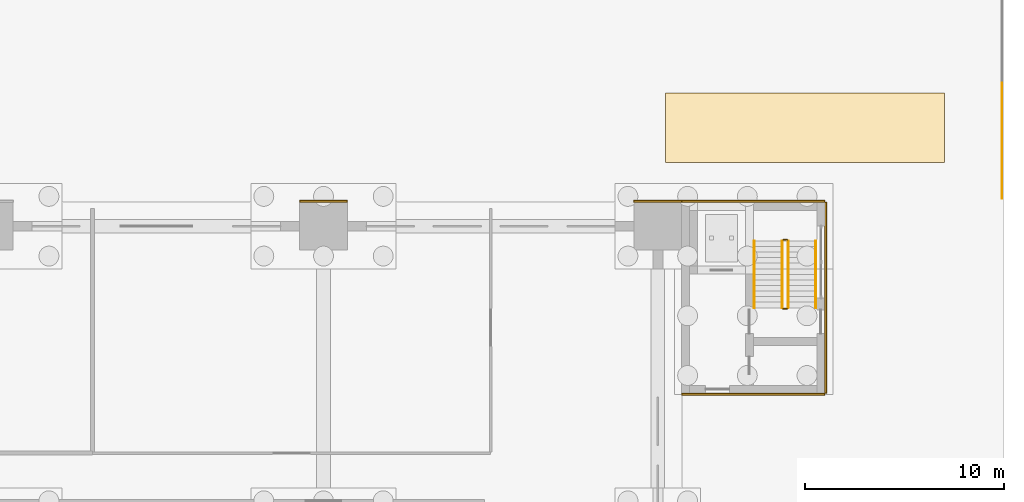
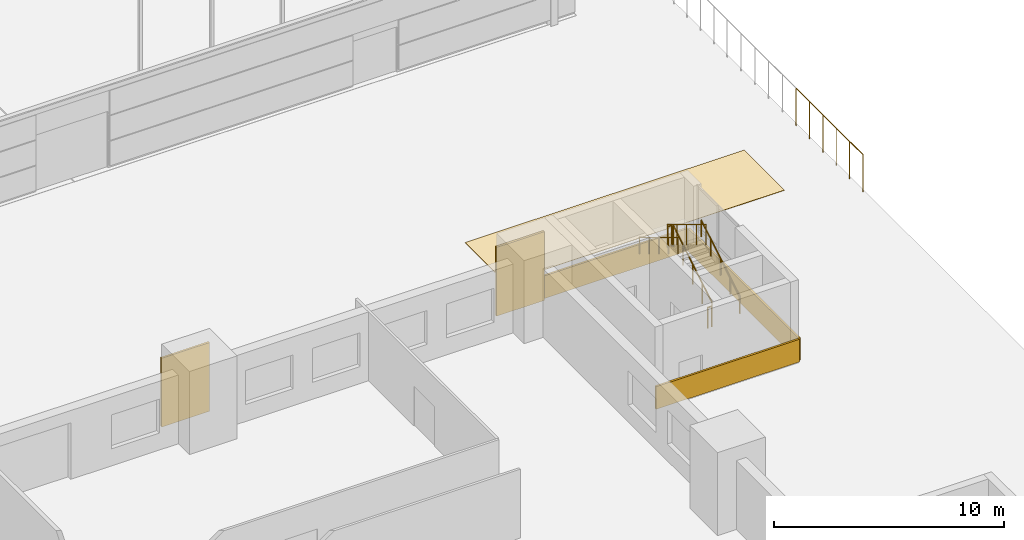
# One storey, part 133 of 139: 7 railings, 6 coverings.
"""IFC4 building model written with IfcOpenShell, lengths in metres."""

from ifc_helpers import new_model, si_unit, direction, frame, origin, origin_2d, place, context, subcontext, project, spatial, polyline, rectangle, circle, outline, extrude, material, layer, layer_set, type_object, element, save


model = new_model("IFC4")

# Units and contexts
model_context = context("Model", 3, precision=1e-05, world=origin(), true_north=direction((0.0, 1.0)))
body_context = subcontext(model_context, "Body", "Model", "MODEL_VIEW")
ifc_project = project(units=[si_unit("LENGTHUNIT", "METRE"), si_unit("AREAUNIT", "SQUARE_METRE"), si_unit("VOLUMEUNIT", "CUBIC_METRE"), si_unit("PLANEANGLEUNIT", "RADIAN"), si_unit("MASSUNIT", "GRAM", prefix="KILO")], contexts=[model_context])

# Site, building, storey
site_placement = place(None, origin())
site = spatial("IfcSite", under=ifc_project, at=site_placement, CompositionType="ELEMENT")
building_placement = place(site_placement, origin())
building = spatial("IfcBuilding", under=site, at=building_placement, Name="Verrick Yard Athletic Hall", CompositionType="ELEMENT")
storey_placement = place(building_placement, origin())
storey = spatial("IfcBuildingStorey", under=building, at=storey_placement, Name="L00", CompositionType="ELEMENT", Elevation=0.0)

# Coverings
ifc_material_1 = material(Name="Rusticated limestone cladding", Category="masonry")
ifc_layer_1 = layer(ifc_material_1, 0.10009765625)
ifc_layer_set_1 = layer_set([ifc_layer_1], Name="Pier base cladding")
covering_type_1 = type_object("IfcCoveringType", Name="Pier base cladding", PredefinedType="CLADDING", material=ifc_layer_set_1)
for number, where, z_axis, x_axis, name in (
    (1, (140.800048828125, 54.050048828125, 0.0), (0.0, 0.0, 1.0), (1.0, 0.0, 0.0), "Pier base N7"),
    (2, (157.60009765625, 54.050048828125, 0.0), (0.0, 0.0, 1.0), (1.0, 0.0, 0.0), "Pier base N8"),
):
    element("IfcCovering", number, at=place(storey_placement, frame(where, z_axis=z_axis, x_axis=x_axis)), inside=storey, type_object=covering_type_1, Name=name, PredefinedType="CLADDING", context=body_context, shape_type="SweptSolid", body=[
        extrude(rectangle(XDim=2.39990234375, YDim=0.10009765625, at=origin_2d()), origin(), (0.0, 0.0, 1.0), 3.64990234375),
    ])

# Railing
ifc_material_2 = material(Name="Galvanised steel", Category="steel")
railing_type_1 = type_object("IfcRailingType", Name="Site fence", PredefinedType="USERDEFINED", material=ifc_material_2)
railing_1_placement = place(storey_placement, frame((174.89990234375, 54.199951171875, 0.0)))
element("IfcRailing", 3, at=railing_1_placement, inside=storey, type_object=railing_type_1, Name="Yard fence east S", ObjectType="FENCE", PredefinedType="USERDEFINED", context=body_context, shape_type="SweptSolid", body=[
    extrude(circle(Radius=0.02392578125, at=origin_2d()), frame((0.0, 0.0, 1.97607421875), z_axis=(0.0, 1.0, 0.0), x_axis=(-1.0, 0.0, 0.0)), (0.0, 0.0, 1.0), 5.800048828125),
    extrude(circle(Radius=0.02099609375, at=origin_2d()), origin(), (0.0, 0.0, 1.0), 1.951904296875),
    extrude(circle(Radius=0.02099609375, at=origin_2d()), frame((0.0, 1.159912109375, 0.0)), (0.0, 0.0, 1.0), 1.951904296875),
    extrude(circle(Radius=0.02099609375, at=origin_2d()), frame((0.0, 2.320068359375, 0.0)), (0.0, 0.0, 1.0), 1.951904296875),
    extrude(circle(Radius=0.02099609375, at=origin_2d()), frame((0.0, 3.47998046875, 0.0)), (0.0, 0.0, 1.0), 1.951904296875),
    extrude(circle(Radius=0.02099609375, at=origin_2d()), frame((0.0, 4.64013671875, 0.0)), (0.0, 0.0, 1.0), 1.951904296875),
    extrude(circle(Radius=0.02099609375, at=origin_2d()), frame((0.0, 5.800048828125, 0.0)), (0.0, 0.0, 1.0), 1.951904296875),
])

# Covering
ifc_material_3 = material(Name="Concrete paving 35 MPa", Category="concrete")
ifc_layer_2 = layer(ifc_material_3, 0.10009765625)
ifc_layer_set_2 = layer_set([ifc_layer_2], Name="Site paving")
covering_type_2 = type_object("IfcCoveringType", Name="Site paving", PredefinedType="USERDEFINED", material=ifc_layer_set_2)
covering_1_placement = place(storey_placement, origin())
element("IfcCovering", 4, at=covering_1_placement, inside=storey, type_object=covering_type_2, Name="Loading bay", ObjectType="PAVING", PredefinedType="USERDEFINED", context=body_context, shape_type="SweptSolid", body=[
    extrude(outline(polyline([(172.0, 56.0), (172.0, 59.5), (158.0, 59.5), (158.0, 56.0), (172.0, 56.0)])), origin(), (0.0, 0.0, 1.0), 0.02001953125),
])

# Railings
ifc_material_4 = material(Name="Stainless steel", Category="steel")
railing_type_2 = type_object("IfcRailingType", Name="Stair and core guard 1100", PredefinedType="GUARDRAIL", material=ifc_material_4)
railing_2_placement = place(storey_placement, frame((164.14990234375, 48.699951171875, 0.169189453125)))
element("IfcRailing", 5, at=railing_2_placement, inside=storey, type_object=railing_type_2, Name="L00 Plinth north-east stair guard 1", PredefinedType="GUARDRAIL", context=body_context, shape_type="SweptSolid", body=[
    extrude(circle(Radius=0.02392578125, at=origin_2d()), frame((0.0, 0.0, 1.076171875), z_axis=(0.0, 0.855836976705, 0.517245656632), x_axis=(-1.0, 0.0, 0.0)), (0.0, 0.0, 1.0), 3.926025390625),
    extrude(circle(Radius=0.02099609375, at=origin_2d()), origin(), (0.0, 0.0, 1.0), 1.052001953125),
    extrude(circle(Radius=0.02099609375, at=origin_2d()), frame((0.0, 0.840087890625, 0.5078125)), (0.0, 0.0, 1.0), 1.052001953125),
    extrude(circle(Radius=0.02099609375, at=origin_2d()), frame((0.0, 1.68017578125, 1.015380859375)), (0.0, 0.0, 1.0), 1.052001953125),
    extrude(circle(Radius=0.02099609375, at=origin_2d()), frame((0.0, 2.52001953125, 1.52294921875)), (0.0, 0.0, 1.0), 1.052001953125),
    extrude(circle(Radius=0.02099609375, at=origin_2d()), frame((0.0, 3.360107421875, 2.03076171875)), (0.0, 0.0, 1.0), 1.052001953125),
])
railing_3_placement = place(storey_placement, frame((164.10009765625, 52.110107421875, 2.199951171875)))
element("IfcRailing", 6, at=railing_3_placement, inside=storey, type_object=railing_type_2, Name="L00 Plinth north-east stair guard 2", PredefinedType="GUARDRAIL", context=body_context, shape_type="SweptSolid", body=[
    extrude(circle(Radius=0.02392578125, at=origin_2d()), frame((0.0, 0.0, 1.076171875), z_axis=(-1.0, 0.0, 0.0), x_axis=(0.0, -1.0, 0.0)), (0.0, 0.0, 1.0), 0.2001953125),
    extrude(circle(Radius=0.02099609375, at=origin_2d()), origin(), (0.0, 0.0, 1.0), 1.052001953125),
    extrude(circle(Radius=0.02099609375, at=origin_2d()), frame((-0.2001953125, 0.0, 0.0)), (0.0, 0.0, 1.0), 1.052001953125),
])
railing_4_placement = place(storey_placement, frame((163.85009765625, 52.06005859375, 2.369140625)))
element("IfcRailing", 7, at=railing_4_placement, inside=storey, type_object=railing_type_2, Name="L00 Plinth north-east stair guard 3", PredefinedType="GUARDRAIL", context=body_context, shape_type="SweptSolid", body=[
    extrude(circle(Radius=0.02392578125, at=origin_2d()), frame((0.0, 0.0, 1.076171875), z_axis=(0.0, -0.855836976705, 0.517245656632), x_axis=(1.0, 0.0, 0.0)), (0.0, 0.0, 1.0), 3.926025390625),
    extrude(circle(Radius=0.02099609375, at=origin_2d()), origin(), (0.0, 0.0, 1.0), 1.052001953125),
    extrude(circle(Radius=0.02099609375, at=origin_2d()), frame((0.0, -0.840087890625, 0.5078125)), (0.0, 0.0, 1.0), 1.052001953125),
    extrude(circle(Radius=0.02099609375, at=origin_2d()), frame((0.0, -1.68017578125, 1.015380859375)), (0.0, 0.0, 1.0), 1.052001953125),
    extrude(circle(Radius=0.02099609375, at=origin_2d()), frame((0.0, -2.52001953125, 1.52294921875)), (0.0, 0.0, 1.0), 1.052001953125),
    extrude(circle(Radius=0.02099609375, at=origin_2d()), frame((0.0, -3.360107421875, 2.03076171875)), (0.0, 0.0, 1.0), 1.052001953125),
])
railing_5_placement = place(storey_placement, frame((164.10009765625, 48.64990234375, 0.0)))
element("IfcRailing", 8, at=railing_5_placement, inside=storey, type_object=railing_type_2, Name="L00 Plinth north-east stair guard 4", PredefinedType="GUARDRAIL", context=body_context, shape_type="SweptSolid", body=[
    extrude(circle(Radius=0.02392578125, at=origin_2d()), frame((0.0, 0.0, 1.076171875), z_axis=(-1.0, 0.0, 0.0), x_axis=(0.0, -1.0, 0.0)), (0.0, 0.0, 1.0), 0.2001953125),
    extrude(circle(Radius=0.02099609375, at=origin_2d()), origin(), (0.0, 0.0, 1.0), 1.052001953125),
    extrude(circle(Radius=0.02099609375, at=origin_2d()), frame((-0.2001953125, 0.0, 0.0)), (0.0, 0.0, 1.0), 1.052001953125),
])
railing_type_3 = type_object("IfcRailingType", Name="Stair handrail 900", PredefinedType="HANDRAIL", material=ifc_material_4)
railing_6_placement = place(storey_placement, frame((165.550048828125, 48.699951171875, 0.169189453125)))
element("IfcRailing", 9, at=railing_6_placement, inside=storey, type_object=railing_type_3, Name="L00 Plinth north-east stair handrail 1", PredefinedType="HANDRAIL", context=body_context, shape_type="SweptSolid", body=[
    extrude(circle(Radius=0.02392578125, at=origin_2d()), frame((0.0, 0.0, 0.8759765625), z_axis=(0.0, 0.855836976705, 0.517245656632), x_axis=(-1.0, 0.0, 0.0)), (0.0, 0.0, 1.0), 3.926025390625),
    extrude(circle(Radius=0.02099609375, at=origin_2d()), origin(), (0.0, 0.0, 1.0), 0.851806640625),
    extrude(circle(Radius=0.02099609375, at=origin_2d()), frame((0.0, 0.840087890625, 0.5078125)), (0.0, 0.0, 1.0), 0.851806640625),
    extrude(circle(Radius=0.02099609375, at=origin_2d()), frame((0.0, 1.68017578125, 1.015380859375)), (0.0, 0.0, 1.0), 0.851806640625),
    extrude(circle(Radius=0.02099609375, at=origin_2d()), frame((0.0, 2.52001953125, 1.52294921875)), (0.0, 0.0, 1.0), 0.851806640625),
    extrude(circle(Radius=0.02099609375, at=origin_2d()), frame((0.0, 3.360107421875, 2.03076171875)), (0.0, 0.0, 1.0), 0.851806640625),
])
railing_7_placement = place(storey_placement, frame((162.449951171875, 52.06005859375, 2.369140625)))
element("IfcRailing", 10, at=railing_7_placement, inside=storey, type_object=railing_type_3, Name="L00 Plinth north-east stair handrail 2", PredefinedType="HANDRAIL", context=body_context, shape_type="SweptSolid", body=[
    extrude(circle(Radius=0.02392578125, at=origin_2d()), frame((0.0, 0.0, 0.8759765625), z_axis=(0.0, -0.855836976705, 0.517245656632), x_axis=(1.0, 0.0, 0.0)), (0.0, 0.0, 1.0), 3.926025390625),
    extrude(circle(Radius=0.02099609375, at=origin_2d()), origin(), (0.0, 0.0, 1.0), 0.851806640625),
    extrude(circle(Radius=0.02099609375, at=origin_2d()), frame((0.0, -0.840087890625, 0.5078125)), (0.0, 0.0, 1.0), 0.851806640625),
    extrude(circle(Radius=0.02099609375, at=origin_2d()), frame((0.0, -1.68017578125, 1.015380859375)), (0.0, 0.0, 1.0), 0.851806640625),
    extrude(circle(Radius=0.02099609375, at=origin_2d()), frame((0.0, -2.52001953125, 1.52294921875)), (0.0, 0.0, 1.0), 0.851806640625),
    extrude(circle(Radius=0.02099609375, at=origin_2d()), frame((0.0, -3.360107421875, 2.03076171875)), (0.0, 0.0, 1.0), 0.851806640625),
])

# Coverings
ifc_material_5 = material(Name="Tyndall-stone-look precast cladding", Category="masonry")
ifc_layer_3 = layer(ifc_material_5, 0.125)
ifc_layer_set_3 = layer_set([ifc_layer_3], Name="Stone cladding")
covering_type_3 = type_object("IfcCoveringType", Name="Stone cladding", PredefinedType="CLADDING", material=ifc_layer_set_3)
for number, where, z_axis, x_axis, name in (
    (11, (162.39990234375, 44.35009765625, 0.10009765625), (0.0, 0.0, 1.0), (1.0, 0.0, 0.0), "Block base course"),
    (12, (162.39990234375, 54.050048828125, 0.10009765625), (0.0, 0.0, 1.0), (1.0, 0.0, 0.0), "Block base course"),
):
    element("IfcCovering", number, at=place(storey_placement, frame(where, z_axis=z_axis, x_axis=x_axis)), inside=storey, type_object=covering_type_3, Name=name, PredefinedType="CLADDING", context=body_context, shape_type="SweptSolid", body=[
        extrude(rectangle(XDim=7.199951171875, YDim=0.10009765625, at=origin_2d()), origin(), (0.0, 0.0, 1.0), 1.199951171875),
    ])
covering_2_placement = place(storey_placement, frame((166.050048828125, 49.199951171875, 0.10009765625), z_axis=(0.0, 0.0, 1.0), x_axis=(1.0, 0.0, 0.0)))
element("IfcCovering", 13, at=covering_2_placement, inside=storey, type_object=covering_type_3, Name="Block base course", PredefinedType="CLADDING", context=body_context, shape_type="SweptSolid", body=[
    extrude(rectangle(XDim=0.10009765625, YDim=9.60009765625, at=origin_2d()), origin(), (0.0, 0.0, 1.0), 1.199951171875),
])

save(model, "model.ifc")
